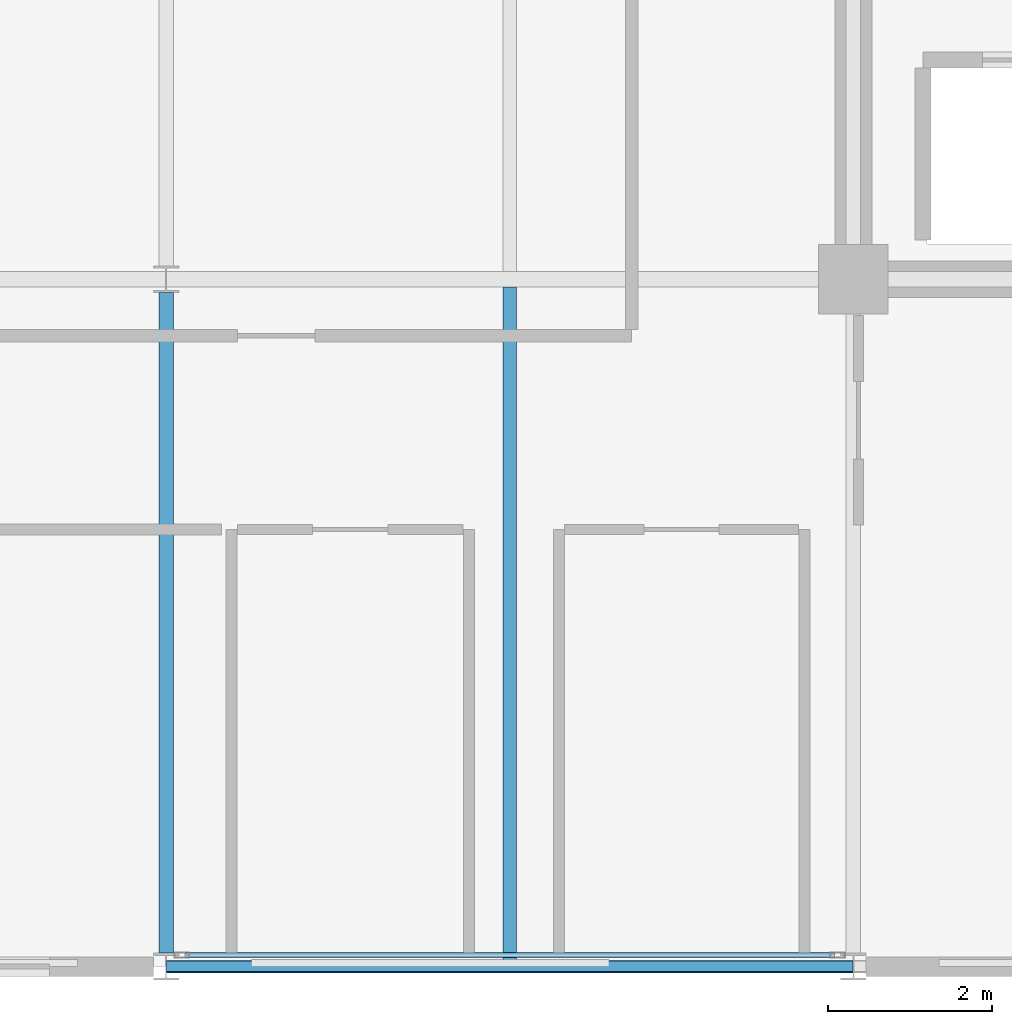
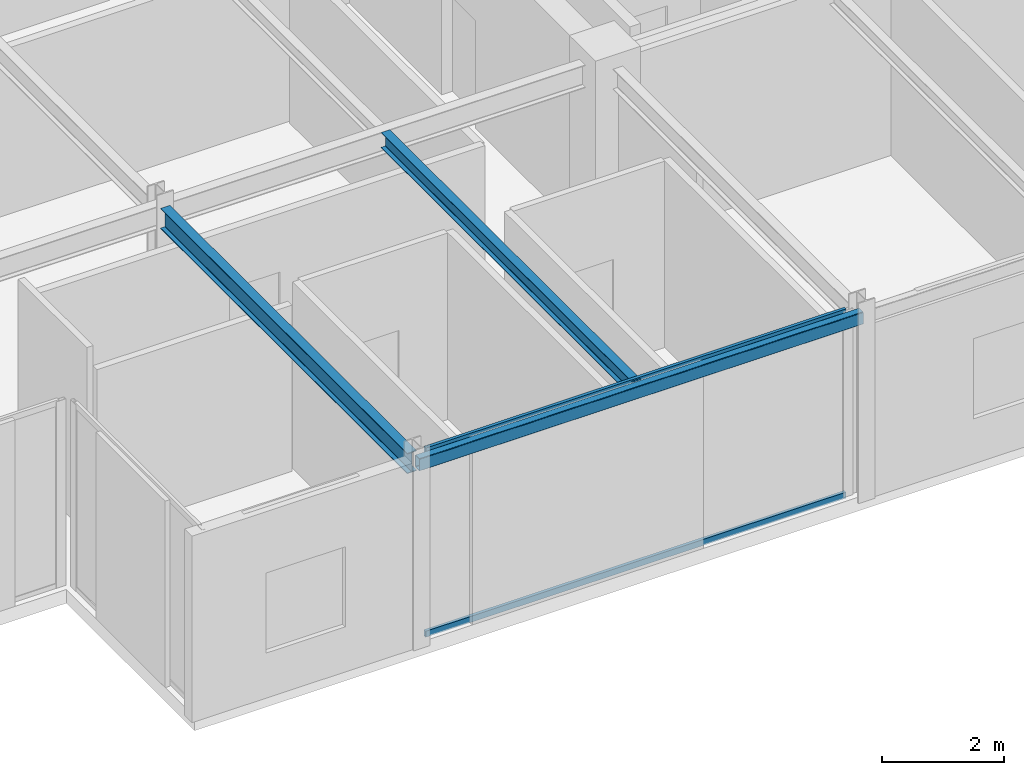
# One storey, part 4 of 24: 3 beams, 2 members, 1 element without a shape of its own.
"""IFC4 building model written with IfcOpenShell, lengths in metres."""

from ifc_helpers import new_model, si_unit, direction, frame, origin, origin_2d, place, context, subcontext, project, spatial, hollow_rectangle, i_section, extrude, material, layer, layer_set, material_profile, profile_set, type_object, element, aggregate, save


model = new_model("IFC4")

# Units and contexts
model_context = context("Model", 3, precision=1e-05, world=origin(), true_north=direction((0.0, 1.0)))
body_context = subcontext(model_context, "Body", "Model", "MODEL_VIEW")
ifc_project = project(units=[si_unit("LENGTHUNIT", "METRE"), si_unit("AREAUNIT", "SQUARE_METRE"), si_unit("VOLUMEUNIT", "CUBIC_METRE"), si_unit("PLANEANGLEUNIT", "RADIAN"), si_unit("MASSUNIT", "GRAM", prefix="KILO")], contexts=[model_context])

# Site, building, storey
site_placement = place(None, origin())
site = spatial("IfcSite", under=ifc_project, at=site_placement, CompositionType="ELEMENT")
building_placement = place(site_placement, origin())
building = spatial("IfcBuilding", under=site, at=building_placement, Name="Nerrivon Quay Data Exchange", CompositionType="ELEMENT")
storey_placement = place(building_placement, frame((0.0, 0.0, 298.199951171875)))
storey = spatial("IfcBuildingStorey", under=building, at=storey_placement, Name="L71", CompositionType="ELEMENT", Elevation=298.199951171875)

# Beams
ifc_material_1 = material(Name="Steel Grade 350", Category="steel")
ifc_material_profile_1 = material_profile(ifc_material_1, i_section(OverallWidth=0.177978515625, OverallDepth=0.406005859375, WebThickness=0.0078125, FlangeThickness=0.0126953125, FilletRadius=0.011474609375, at=origin_2d()), Name="410UB59.7")
ifc_profile_set_1 = profile_set([ifc_material_profile_1], Name="Steel Grade 350")
beam_type_1 = type_object("IfcBeamType", Name="BM-J1-410UB60", PredefinedType="JOIST", material=ifc_profile_set_1)
beam_1_placement = place(storey_placement, frame((8.39990234375, 0.16357421875, 3.52197265625), z_axis=(0.0, 1.0, 0.0), x_axis=(-1.0, 0.0, 0.0)))
element("IfcBeam", 1, at=beam_1_placement, inside=storey, type_object=beam_type_1, Name="L71 NS Girder X=8.4 (0.0..8.4)", PredefinedType="JOIST", context=body_context, shape_type="SweptSolid", body=[
    extrude(i_section(OverallWidth=0.177978515625, OverallDepth=0.406005859375, WebThickness=0.0078125, FlangeThickness=0.0126953125, FilletRadius=0.011474609375, at=origin_2d()), origin(), (0.0, 0.0, 1.0), 8.072998046875),
])
ifc_material_profile_2 = material_profile(ifc_material_1, i_section(OverallWidth=0.1650390625, OverallDepth=0.303955078125, WebThickness=0.006103515625, FlangeThickness=0.01025390625, FilletRadius=0.011474609375, at=origin_2d()), Name="310UB40.4")
ifc_profile_set_2 = profile_set([ifc_material_profile_2], Name="Steel Grade 350")
beam_type_2 = type_object("IfcBeamType", Name="BM-J6-310UB40", PredefinedType="JOIST", material=ifc_profile_set_2)
beam_2_placement = place(storey_placement, frame((12.60009765625, 0.074951171875, 3.572998046875), z_axis=(0.0, 1.0, 0.0), x_axis=(-1.0, 0.0, 0.0)))
element("IfcBeam", 2, at=beam_2_placement, inside=storey, type_object=beam_type_2, Name="L71 Secondary Joist X=12.6 (0.0..8.4)", PredefinedType="JOIST", context=body_context, shape_type="SweptSolid", body=[
    extrude(i_section(OverallWidth=0.1650390625, OverallDepth=0.303955078125, WebThickness=0.006103515625, FlangeThickness=0.01025390625, FilletRadius=0.011474609375, at=origin_2d()), origin(), (0.0, 0.0, 1.0), 8.22998046875),
])
ifc_material_2 = material(Name="Steel Grade C350L0 (350 MPa)", Category="steel")
ifc_material_profile_3 = material_profile(ifc_material_2, hollow_rectangle(XDim=0.14990234375, YDim=0.25, WallThickness=0.009033203125, InnerFilletRadius=0.013427734375, OuterFilletRadius=0.0224609375, at=origin_2d()), Name="250x150x9.0RHS")
ifc_profile_set_3 = profile_set([ifc_material_profile_3], Name="Steel Grade C350L0 (350 MPa)")
beam_type_3 = type_object("IfcBeamType", Name="BM-SP4-250x150RHS", PredefinedType="SPANDREL", material=ifc_profile_set_3)
beam_3_placement = place(storey_placement, frame((8.40771484375, 0.0, 3.60009765625), z_axis=(1.0, 0.0, 0.0), x_axis=(0.0, 1.0, 0.0)))
element("IfcBeam", 3, at=beam_3_placement, inside=storey, type_object=beam_type_3, Name="L71 EW Girder Y=0.0 (8.4..16.8)", PredefinedType="SPANDREL", context=body_context, shape_type="SweptSolid", body=[
    extrude(hollow_rectangle(XDim=0.14990234375, YDim=0.25, WallThickness=0.009033203125, InnerFilletRadius=0.013427734375, OuterFilletRadius=0.0224609375, at=origin_2d()), origin(), (0.0, 0.0, 1.0), 8.38427734375),
])

# Curtain wall, members
ifc_material_3 = material(Name="Anodised aluminium 6063-T6", Category="aluminium")
ifc_layer = layer(ifc_material_3, 0.195068359375)
ifc_layer_set = layer_set([ifc_layer], Name="Anodised aluminium 6063-T6")
curtain_wall_type = type_object("IfcCurtainWallType", Name="CW-SYS-06", PredefinedType="NOTDEFINED", material=ifc_layer_set)
curtain_wall_placement = place(storey_placement, origin())
curtain_wall = element("IfcCurtainWall", 4, at=curtain_wall_placement, inside=storey, type_object=curtain_wall_type, Name="L71 Unitised Curtain Wall 4", PredefinedType="NOTDEFINED")
ifc_material_profile_4 = material_profile(ifc_material_3, hollow_rectangle(XDim=0.06005859375, YDim=0.1201171875, WallThickness=0.003173828125, at=origin_2d()), Name="ALU-TRAN-120x60")
ifc_profile_set_4 = profile_set([ifc_material_profile_4], Name="Anodised aluminium 6063-T6")
member_type = type_object("IfcMemberType", Name="CWT-120x60", PredefinedType="USERDEFINED", material=ifc_profile_set_4)
member_1_placement = place(storey_placement, frame((16.569580078125, 0.139892578125, 0.032470703125), z_axis=(-1.0, 0.0, 0.0), x_axis=(0.0, -1.0, 0.0)))
member_1 = element("IfcMember", 5, at=member_1_placement, type_object=member_type, Name="CW06 transom 1.1", ObjectType="TRANSOM", PredefinedType="USERDEFINED", context=body_context, shape_type="SweptSolid", body=[
    extrude(hollow_rectangle(XDim=0.06005859375, YDim=0.1201171875, WallThickness=0.003173828125, at=origin_2d()), origin(), (0.0, 0.0, 1.0), 7.93896484375),
])
member_2_placement = place(storey_placement, frame((16.569580078125, 0.139892578125, 3.692626953125), z_axis=(-1.0, 0.0, 0.0), x_axis=(0.0, -1.0, 0.0)))
member_2 = element("IfcMember", 6, at=member_2_placement, type_object=member_type, Name="CW06 transom 1.2", ObjectType="TRANSOM", PredefinedType="USERDEFINED", context=body_context, shape_type="SweptSolid", body=[
    extrude(hollow_rectangle(XDim=0.06005859375, YDim=0.1201171875, WallThickness=0.003173828125, at=origin_2d()), origin(), (0.0, 0.0, 1.0), 7.93896484375),
])
aggregate(curtain_wall, [member_1, member_2])

save(model, "model.ifc")
